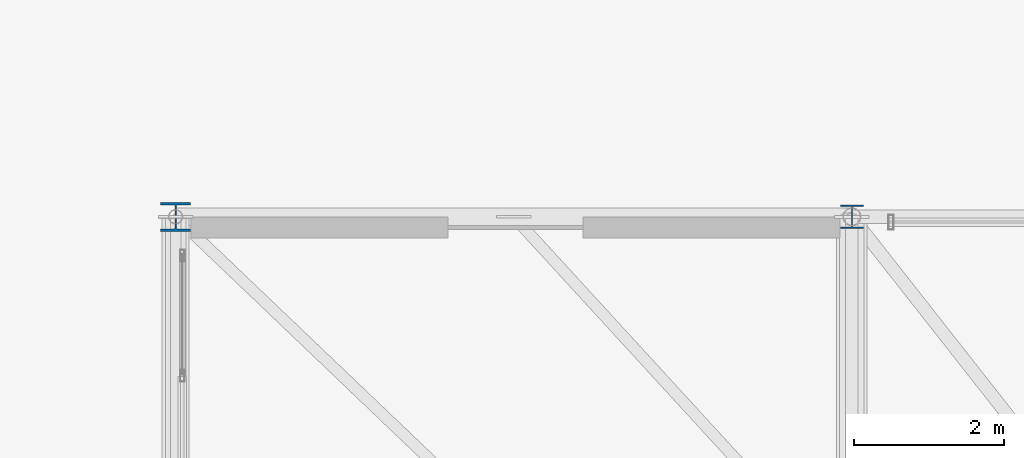
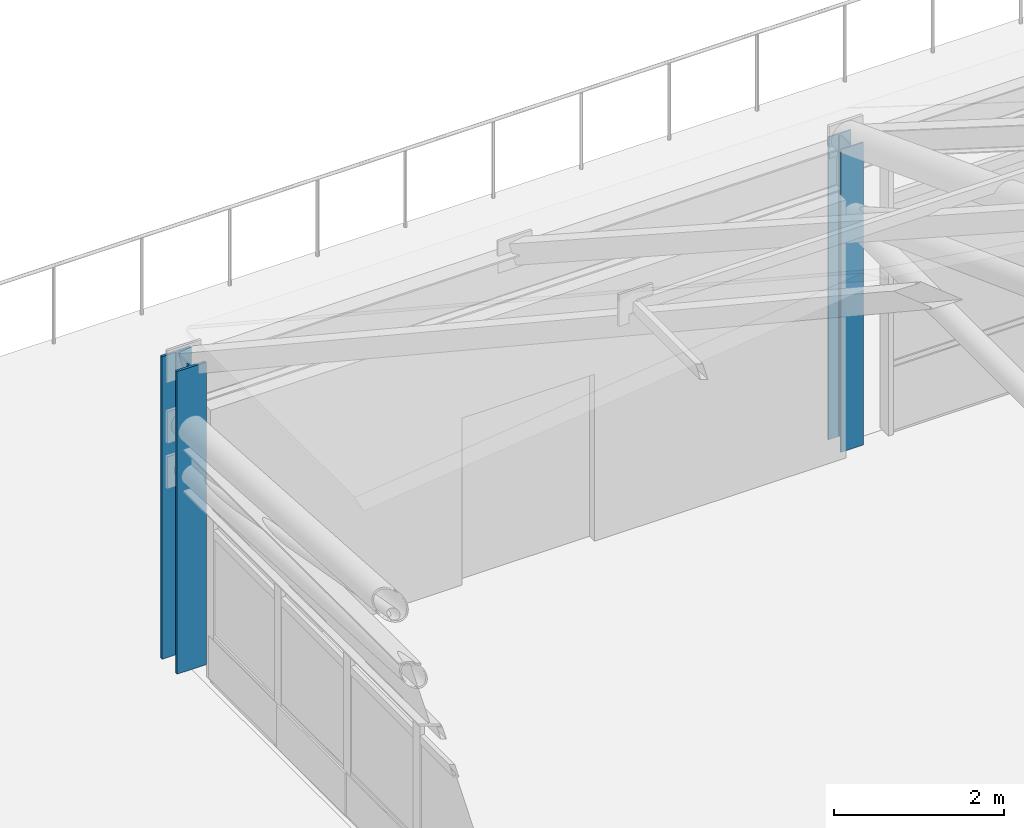
# One storey, part 2 of 168: 2 columns.
"""IFC4 building model written with IfcOpenShell, lengths in metres."""

from ifc_helpers import new_model, si_unit, direction, frame, origin, origin_2d, place, context, subcontext, project, spatial, i_section, extrude, material, material_profile, profile_set, type_object, element, save


model = new_model("IFC4")

# Units and contexts
model_context = context("Model", 3, precision=1e-05, world=origin(), true_north=direction((0.0, 1.0)))
body_context = subcontext(model_context, "Body", "Model", "MODEL_VIEW")
ifc_project = project(units=[si_unit("LENGTHUNIT", "METRE"), si_unit("AREAUNIT", "SQUARE_METRE"), si_unit("VOLUMEUNIT", "CUBIC_METRE"), si_unit("PLANEANGLEUNIT", "RADIAN"), si_unit("MASSUNIT", "GRAM", prefix="KILO"), si_unit("THERMODYNAMICTEMPERATUREUNIT", "KELVIN"), si_unit("POWERUNIT", "WATT")], contexts=[model_context])

# Site, building, storey
site_placement = place(None, origin())
site = spatial("IfcSite", under=ifc_project, at=site_placement, CompositionType="ELEMENT")
building_placement = place(site_placement, origin())
building = spatial("IfcBuilding", under=site, at=building_placement, Name="Tepalcoro Natatorium and Aquatics Centre", CompositionType="ELEMENT")
storey_placement = place(building_placement, frame((0.0, 0.0, 10.199951171875)))
storey = spatial("IfcBuildingStorey", under=building, at=storey_placement, Name="L02", CompositionType="ELEMENT", Elevation=10.199951171875)

# Columns
ifc_material = material(Name="Steel ASTM A992 Grade 50 (Fy 345 MPa)", Category="steel")
ifc_material_profile_1 = material_profile(ifc_material, i_section(OverallWidth=0.306884765625, OverallDepth=0.31494140625, WebThickness=0.011962890625, FlangeThickness=0.01904296875, FilletRadius=0.013916015625, at=origin_2d()), Name="W12X79")
ifc_profile_set_1 = profile_set([ifc_material_profile_1], Name="Steel ASTM A992 Grade 50 (Fy 345 MPa)")
column_type_1 = type_object("IfcColumnType", Name="COL_W12x79", PredefinedType="COLUMN", material=ifc_profile_set_1)
column_1_placement = place(storey_placement, frame((62.0, 59.0, 0.0), z_axis=(0.0, 0.0, 1.0), x_axis=(1.0, 0.0, 0.0)))
element("IfcColumn", 1, at=column_1_placement, inside=storey, type_object=column_type_1, Name="V1 L02 Grid Column (62.0, 59.0)", PredefinedType="COLUMN", context=body_context, shape_type="SweptSolid", body=[
    extrude(i_section(OverallWidth=0.306884765625, OverallDepth=0.31494140625, WebThickness=0.011962890625, FlangeThickness=0.01904296875, FilletRadius=0.013916015625, at=origin_2d()), origin(), (0.0, 0.0, 1.0), 4.35009765625),
])
ifc_material_profile_2 = material_profile(ifc_material, i_section(OverallWidth=0.39892578125, OverallDepth=0.385986328125, WebThickness=0.02099609375, FlangeThickness=0.032958984375, FilletRadius=0.013916015625, at=origin_2d()), Name="W14X176")
ifc_profile_set_2 = profile_set([ifc_material_profile_2], Name="Steel ASTM A992 Grade 50 (Fy 345 MPa)")
column_type_2 = type_object("IfcColumnType", Name="COL_W14x176", PredefinedType="COLUMN", material=ifc_profile_set_2)
column_2_placement = place(storey_placement, frame((53.0, 59.0, 0.0), z_axis=(0.0, 0.0, 1.0), x_axis=(1.0, 0.0, 0.0)))
element("IfcColumn", 2, at=column_2_placement, inside=storey, type_object=column_type_2, Name="V1 L02 Grid Column (53.0, 59.0)", PredefinedType="COLUMN", context=body_context, shape_type="SweptSolid", body=[
    extrude(i_section(OverallWidth=0.39892578125, OverallDepth=0.385986328125, WebThickness=0.02099609375, FlangeThickness=0.032958984375, FilletRadius=0.013916015625, at=origin_2d()), origin(), (0.0, 0.0, 1.0), 4.35009765625),
])

save(model, "model.ifc")
